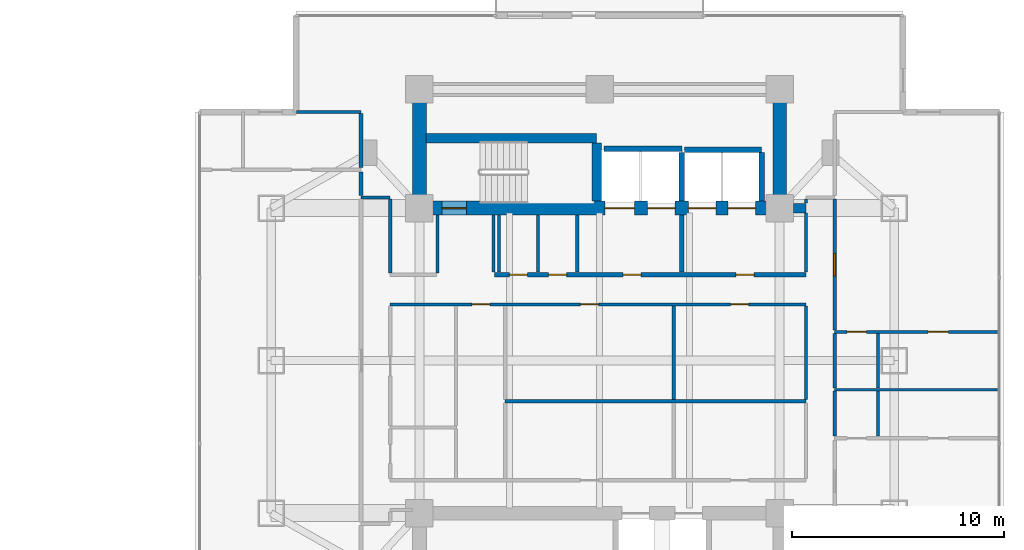
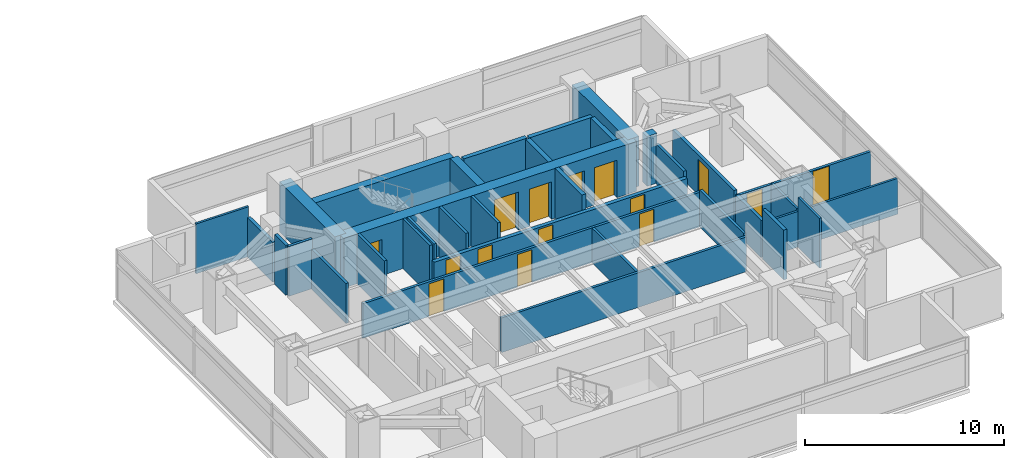
# One storey, part 18 of 24: 35 walls, 15 doors, 15 openings.
"""IFC4 building model written with IfcOpenShell, lengths in metres."""

from ifc_helpers import new_model, si_unit, direction, frame, frame_2d, origin, place, context, subcontext, project, spatial, rectangle, extrude, material, layer, layer_set, type_object, element, fill, save


model = new_model("IFC4")

# Units and contexts
model_context = context("Model", 3, precision=1e-05, world=origin(), true_north=direction((0.0, 1.0)))
body_context = subcontext(model_context, "Body", "Model", "MODEL_VIEW")
ifc_project = project(units=[si_unit("LENGTHUNIT", "METRE"), si_unit("AREAUNIT", "SQUARE_METRE"), si_unit("VOLUMEUNIT", "CUBIC_METRE"), si_unit("PLANEANGLEUNIT", "RADIAN"), si_unit("MASSUNIT", "GRAM", prefix="KILO")], contexts=[model_context])

# Site, building, storey
site_placement = place(None, origin())
site = spatial("IfcSite", under=ifc_project, at=site_placement, CompositionType="ELEMENT")
building_placement = place(site_placement, origin())
building = spatial("IfcBuilding", under=site, at=building_placement, Name="Mirazonda Arch Towers", CompositionType="ELEMENT")
storey_placement = place(building_placement, frame((0.0, 0.0, 71.89990234375)))
storey = spatial("IfcBuildingStorey", under=building, at=storey_placement, Name="L20", CompositionType="ELEMENT", Elevation=71.89990234375)

# Walls
ifc_material_1 = material(Name="Concrete C50/60", Category="concrete")
ifc_layer_1 = layer(ifc_material_1, 0.449951171875, Name="WALL-CORE-450")
ifc_layer_set_1 = layer_set([ifc_layer_1], Name="Concrete C50/60")
wall_type_1 = type_object("IfcWallType", Name="WALL-CORE-450", PredefinedType="SHEAR", material=ifc_layer_set_1)
wall_1_placement = place(storey_placement, frame((85.6650390625, 35.199951171875, 0.0), z_axis=(0.0, 0.0, 1.0), x_axis=(1.0, 0.0, 0.0)))
element("IfcWall", 1, at=wall_1_placement, inside=storey, type_object=wall_type_1, Name="L20 Stair Core Shear Wall 042", PredefinedType="SHEAR", context=body_context, shape_type="SweptSolid", body=[
    extrude(rectangle(XDim=0.5849609375, YDim=0.449951171875, at=frame_2d((0.29248046875, 0.0))), origin(), (0.0, 0.0, 1.0), 3.06005859375),
])
wall_2_placement = place(storey_placement, frame((68.320068359375, 38.5, 0.0), z_axis=(0.0, 0.0, 1.0), x_axis=(1.0, 0.0, 0.0)))
element("IfcWall", 2, at=wall_2_placement, inside=storey, type_object=wall_type_1, Name="L20 Stair Core Shear Wall 049", PredefinedType="SHEAR", context=body_context, shape_type="SweptSolid", body=[
    extrude(rectangle(XDim=8.0400390625, YDim=0.449951171875, at=frame_2d((4.02001953125, 0.0))), origin(), (0.0, 0.0, 1.0), 3.06005859375),
])
wall_3_placement = place(storey_placement, frame((76.360107421875, 35.52001953125, 0.0), z_axis=(0.0, 0.0, 1.0), x_axis=(0.0, 1.0, 0.0)))
element("IfcWall", 3, at=wall_3_placement, inside=storey, type_object=wall_type_1, Name="L20 Stair Core Shear Wall 139", PredefinedType="SHEAR", context=body_context, shape_type="SweptSolid", body=[
    extrude(rectangle(XDim=2.744873046875, YDim=0.449951171875, at=frame_2d((1.37255859375, 0.0))), origin(), (0.0, 0.0, 1.0), 3.06005859375),
])
ifc_material_2 = material(Name="Concrete C60/75", Category="concrete")
ifc_layer_2 = layer(ifc_material_2, 0.64990234375, Name="WALL-CORE-650")
ifc_layer_set_2 = layer_set([ifc_layer_2], Name="Concrete C60/75")
wall_type_2 = type_object("IfcWallType", Name="WALL-CORE-650", PredefinedType="SHEAR", material=ifc_layer_set_2)
for number, where, z_axis, x_axis, name in (
    (4, (68.0, 35.199951171875, 0.0), (0.0, 0.0, 1.0), (0.0, 1.0, 0.0), "L20 T2N-W Core Shear Wall"),
    (5, (85.0, 35.199951171875, 0.0), (0.0, 0.0, 1.0), (0.0, 1.0, 0.0), "L20 T2N-E Core Shear Wall"),
):
    element("IfcWall", number, at=place(storey_placement, frame(where, z_axis=z_axis, x_axis=x_axis)), inside=storey, type_object=wall_type_2, Name=name, PredefinedType="SHEAR", context=body_context, shape_type="SweptSolid", body=[
        extrude(rectangle(XDim=5.60009765625, YDim=0.64990234375, at=frame_2d((2.800048828125, 0.0))), origin(), (0.0, 0.0, 1.0), 3.06005859375),
    ])

# Wall, openings, doors
wall_4_placement = place(storey_placement, frame((68.0, 35.199951171875, 0.0), z_axis=(0.0, 0.0, 1.0), x_axis=(1.0, 0.0, 0.0)))
wall_4 = element("IfcWall", 6, at=wall_4_placement, inside=storey, type_object=wall_type_2, Name="L20 T2N-S Core Shear Wall", PredefinedType="SHEAR", context=body_context, shape_type="SweptSolid", body=[
    extrude(rectangle(XDim=17.0, YDim=0.64990234375, at=frame_2d((8.5, 0.0))), origin(), (0.0, 0.0, 1.0), 3.06005859375),
])
opening_1_placement = place(wall_4_placement, frame((1.06005859375, 0.0, 0.0)))
opening_1 = element("IfcOpeningElement", 7, at=opening_1_placement, cuts=wall_4, Name="Opening DR-135", PredefinedType="OPENING", context=body_context, shape_type="SweptSolid", body=[
    extrude(rectangle(XDim=1.14990234375, YDim=2.199951171875, at=frame_2d((0.574951171875, 1.10009765625))), frame((0.0, 0.3349609375, 0.0), z_axis=(0.0, -1.0, 0.0), x_axis=(1.0, 0.0, 0.0)), (0.0, 0.0, 1.0), 0.669921875),
])
opening_2_placement = place(wall_4_placement, frame((8.75, 0.0, 0.0)))
opening_2 = element("IfcOpeningElement", 8, at=opening_2_placement, cuts=wall_4, Name="Opening LD-112", PredefinedType="OPENING", context=body_context, shape_type="SweptSolid", body=[
    extrude(rectangle(XDim=1.39990234375, YDim=2.35009765625, at=frame_2d((0.699951171875, 1.175048828125))), frame((0.0, 0.3349609375, 0.0), z_axis=(0.0, -1.0, 0.0), x_axis=(1.0, 0.0, 0.0)), (0.0, 0.0, 1.0), 0.669921875),
])
opening_3_placement = place(wall_4_placement, frame((10.77001953125, 0.0, 0.0)))
opening_3 = element("IfcOpeningElement", 9, at=opening_3_placement, cuts=wall_4, Name="Opening LD-111", PredefinedType="OPENING", context=body_context, shape_type="SweptSolid", body=[
    extrude(rectangle(XDim=1.300048828125, YDim=2.300048828125, at=frame_2d((0.64990234375, 1.14990234375))), frame((0.0, 0.3349609375, 0.0), z_axis=(0.0, -1.0, 0.0), x_axis=(1.0, 0.0, 0.0)), (0.0, 0.0, 1.0), 0.669921875),
])
opening_4_placement = place(wall_4_placement, frame((12.68994140625, 0.0, 0.0)))
opening_4 = element("IfcOpeningElement", 10, at=opening_4_placement, cuts=wall_4, Name="Opening LD-111", PredefinedType="OPENING", context=body_context, shape_type="SweptSolid", body=[
    extrude(rectangle(XDim=1.300048828125, YDim=2.300048828125, at=frame_2d((0.64990234375, 1.14990234375))), frame((0.0, 0.3349609375, 0.0), z_axis=(0.0, -1.0, 0.0), x_axis=(1.0, 0.0, 0.0)), (0.0, 0.0, 1.0), 0.669921875),
])
opening_5_placement = place(wall_4_placement, frame((14.570068359375, 0.0, 0.0)))
opening_5 = element("IfcOpeningElement", 11, at=opening_5_placement, cuts=wall_4, Name="Opening LD-111", PredefinedType="OPENING", context=body_context, shape_type="SweptSolid", body=[
    extrude(rectangle(XDim=1.300048828125, YDim=2.300048828125, at=frame_2d((0.64990234375, 1.14990234375))), frame((0.0, 0.3349609375, 0.0), z_axis=(0.0, -1.0, 0.0), x_axis=(1.0, 0.0, 0.0)), (0.0, 0.0, 1.0), 0.669921875),
])
ifc_material_3 = material(Name="Architectural Brushed Steel S355", Category="steel")
door_type_1 = type_object("IfcDoorType", Name="DOOR-LIFT-FFL-1400", OperationType="NOTDEFINED", PredefinedType="DOOR", material=ifc_material_3)
door_1_placement = place(opening_2_placement, origin())
door_1 = element("IfcDoor", 12, at=door_1_placement, inside=storey, type_object=door_type_1, Name="L20 Lift Landing Sliding Door FFL-T2", OperationType="DOUBLE_DOOR_SLIDING", OverallHeight=2.35009765625, OverallWidth=1.39990234375, PredefinedType="DOOR", context=body_context, shape_type="SweptSolid", body=[
    extrude(rectangle(XDim=1.39990234375, YDim=2.35009765625, at=frame_2d((0.699951171875, 1.175048828125))), frame((0.0, 0.02490234375, 0.0), z_axis=(0.0, -1.0, 0.0), x_axis=(1.0, 0.0, 0.0)), (0.0, 0.0, 1.0), 0.050048828125),
])
fill(opening_2, door_1)
door_type_2 = type_object("IfcDoorType", Name="DOOR-LIFT-LAND-1300", OperationType="NOTDEFINED", PredefinedType="DOOR", material=ifc_material_3)
door_2_placement = place(opening_3_placement, origin())
door_2 = element("IfcDoor", 13, at=door_2_placement, inside=storey, type_object=door_type_2, Name="L20 Lift Landing Sliding Door SVL-T2", OperationType="DOUBLE_DOOR_SLIDING", OverallHeight=2.300048828125, OverallWidth=1.300048828125, PredefinedType="DOOR", context=body_context, shape_type="SweptSolid", body=[
    extrude(rectangle(XDim=1.300048828125, YDim=2.300048828125, at=frame_2d((0.64990234375, 1.14990234375))), frame((0.0, 0.02490234375, 0.0), z_axis=(0.0, -1.0, 0.0), x_axis=(1.0, 0.0, 0.0)), (0.0, 0.0, 1.0), 0.050048828125),
])
fill(opening_3, door_2)
door_3_placement = place(opening_4_placement, origin())
door_3 = element("IfcDoor", 14, at=door_3_placement, inside=storey, type_object=door_type_2, Name="L20 Lift Landing Sliding Door PL-T2L1", OperationType="DOUBLE_DOOR_SLIDING", OverallHeight=2.300048828125, OverallWidth=1.300048828125, PredefinedType="DOOR", context=body_context, shape_type="SweptSolid", body=[
    extrude(rectangle(XDim=1.300048828125, YDim=2.300048828125, at=frame_2d((0.64990234375, 1.14990234375))), frame((0.0, 0.02490234375, 0.0), z_axis=(0.0, -1.0, 0.0), x_axis=(1.0, 0.0, 0.0)), (0.0, 0.0, 1.0), 0.050048828125),
])
fill(opening_4, door_3)
door_4_placement = place(opening_5_placement, origin())
door_4 = element("IfcDoor", 15, at=door_4_placement, inside=storey, type_object=door_type_2, Name="L20 Lift Landing Sliding Door PL-T2L2", OperationType="DOUBLE_DOOR_SLIDING", OverallHeight=2.300048828125, OverallWidth=1.300048828125, PredefinedType="DOOR", context=body_context, shape_type="SweptSolid", body=[
    extrude(rectangle(XDim=1.300048828125, YDim=2.300048828125, at=frame_2d((0.64990234375, 1.14990234375))), frame((0.0, 0.02490234375, 0.0), z_axis=(0.0, -1.0, 0.0), x_axis=(1.0, 0.0, 0.0)), (0.0, 0.0, 1.0), 0.050048828125),
])
fill(opening_5, door_4)
door_type_3 = type_object("IfcDoorType", Name="DOOR-STAIR-FD90-1150", OperationType="NOTDEFINED", PredefinedType="DOOR", material=ifc_material_3)
door_5_placement = place(opening_1_placement, origin())
door_5 = element("IfcDoor", 16, at=door_5_placement, inside=storey, type_object=door_type_3, Name="L20 East Protected Stair North Door", OperationType="SINGLE_SWING_LEFT", OverallHeight=2.199951171875, OverallWidth=1.14990234375, PredefinedType="DOOR", context=body_context, shape_type="SweptSolid", body=[
    extrude(rectangle(XDim=1.14990234375, YDim=2.199951171875, at=frame_2d((0.574951171875, 1.10009765625))), frame((0.0, 0.02490234375, 0.0), z_axis=(0.0, -1.0, 0.0), x_axis=(1.0, 0.0, 0.0)), (0.0, 0.0, 1.0), 0.050048828125),
])
fill(opening_1, door_5)

ifc_material_4 = material(Name="Concrete C40/50", Category="concrete")
ifc_layer_3 = layer(ifc_material_4, 0.219970703125, Name="WALL-FFL-220")
ifc_layer_set_3 = layer_set([ifc_layer_3], Name="Concrete C40/50")
wall_type_3 = type_object("IfcWallType", Name="WALL-FFL-220", PredefinedType="SOLIDWALL", material=ifc_layer_set_3)
wall_5_placement = place(storey_placement, frame((71.550048828125, 32.050048828125, 0.0), z_axis=(0.0, 0.0, 1.0), x_axis=(1.0, 0.0, 0.0)))
wall_5 = element("IfcWall", 17, at=wall_5_placement, inside=storey, type_object=wall_type_3, Name="L20 Interior Partition 036", PredefinedType="SOLIDWALL", context=body_context, shape_type="SweptSolid", body=[
    extrude(rectangle(XDim=14.699951171875, YDim=0.219970703125, at=frame_2d((7.35009765625, 0.0))), origin(), (0.0, 0.0, 1.0), 2.125),
])
opening_6_placement = place(wall_5_placement, frame((11.389892578125, 0.0, 0.0)))
opening_6 = element("IfcOpeningElement", 18, at=opening_6_placement, cuts=wall_5, Name="Opening DR-128", PredefinedType="OPENING", context=body_context, shape_type="SweptSolid", body=[
    extrude(rectangle(XDim=0.85009765625, YDim=2.010009765625, at=frame_2d((0.425048828125, 1.0048828125))), frame((0.0, 0.119873046875, 0.0), z_axis=(0.0, -1.0, 0.0), x_axis=(1.0, 0.0, 0.0)), (0.0, 0.0, 1.0), 0.239990234375),
])
opening_7_placement = place(wall_5_placement, frame((6.06494140625, 0.0, 0.0)))
opening_7 = element("IfcOpeningElement", 19, at=opening_7_placement, cuts=wall_5, Name="Opening DR-128", PredefinedType="OPENING", context=body_context, shape_type="SweptSolid", body=[
    extrude(rectangle(XDim=0.85009765625, YDim=2.010009765625, at=frame_2d((0.425048828125, 1.0048828125))), frame((0.0, 0.119873046875, 0.0), z_axis=(0.0, -1.0, 0.0), x_axis=(1.0, 0.0, 0.0)), (0.0, 0.0, 1.0), 0.239990234375),
])
opening_8_placement = place(wall_5_placement, frame((0.699951171875, 0.0, 0.0)))
opening_8 = element("IfcOpeningElement", 20, at=opening_8_placement, cuts=wall_5, Name="Opening DR-128", PredefinedType="OPENING", context=body_context, shape_type="SweptSolid", body=[
    extrude(rectangle(XDim=0.85009765625, YDim=2.010009765625, at=frame_2d((0.425048828125, 1.0048828125))), frame((0.0, 0.119873046875, 0.0), z_axis=(0.0, -1.0, 0.0), x_axis=(1.0, 0.0, 0.0)), (0.0, 0.0, 1.0), 0.239990234375),
])
opening_9_placement = place(wall_5_placement, frame((2.550048828125, 0.0, 0.0)))
opening_9 = element("IfcOpeningElement", 21, at=opening_9_placement, cuts=wall_5, Name="Opening DR-128", PredefinedType="OPENING", context=body_context, shape_type="SweptSolid", body=[
    extrude(rectangle(XDim=0.85009765625, YDim=2.010009765625, at=frame_2d((0.425048828125, 1.0048828125))), frame((0.0, 0.119873046875, 0.0), z_axis=(0.0, -1.0, 0.0), x_axis=(1.0, 0.0, 0.0)), (0.0, 0.0, 1.0), 0.239990234375),
])
door_type_4 = type_object("IfcDoorType", Name="DOOR-RISER-FD60-850", OperationType="NOTDEFINED", PredefinedType="DOOR", material=ifc_material_3)
door_6_placement = place(opening_6_placement, origin())
door_6 = element("IfcDoor", 22, at=door_6_placement, inside=storey, type_object=door_type_4, Name="L20 East Passenger Lift Lobby Door", OperationType="SINGLE_SWING_RIGHT", OverallHeight=2.010009765625, OverallWidth=0.85009765625, PredefinedType="DOOR", context=body_context, shape_type="SweptSolid", body=[
    extrude(rectangle(XDim=0.85009765625, YDim=2.010009765625, at=frame_2d((0.425048828125, 1.0048828125))), frame((0.0, 0.02490234375, 0.0), z_axis=(0.0, -1.0, 0.0), x_axis=(1.0, 0.0, 0.0)), (0.0, 0.0, 1.0), 0.050048828125),
])
fill(opening_6, door_6)
door_7_placement = place(opening_7_placement, origin())
door_7 = element("IfcDoor", 23, at=door_7_placement, inside=storey, type_object=door_type_4, Name="L20 East Firefighting Lift Lobby Door", OperationType="SINGLE_SWING_RIGHT", OverallHeight=2.010009765625, OverallWidth=0.85009765625, PredefinedType="DOOR", context=body_context, shape_type="SweptSolid", body=[
    extrude(rectangle(XDim=0.85009765625, YDim=2.010009765625, at=frame_2d((0.425048828125, 1.0048828125))), frame((0.0, 0.02490234375, 0.0), z_axis=(0.0, -1.0, 0.0), x_axis=(1.0, 0.0, 0.0)), (0.0, 0.0, 1.0), 0.050048828125),
])
fill(opening_7, door_7)
door_8_placement = place(opening_8_placement, origin())
door_8 = element("IfcDoor", 24, at=door_8_placement, inside=storey, type_object=door_type_4, Name="L20 Tower 2 Electrical Room Door", OperationType="SINGLE_SWING_LEFT", OverallHeight=2.010009765625, OverallWidth=0.85009765625, PredefinedType="DOOR", context=body_context, shape_type="SweptSolid", body=[
    extrude(rectangle(XDim=0.85009765625, YDim=2.010009765625, at=frame_2d((0.425048828125, 1.0048828125))), frame((0.0, 0.02490234375, 0.0), z_axis=(0.0, -1.0, 0.0), x_axis=(1.0, 0.0, 0.0)), (0.0, 0.0, 1.0), 0.050048828125),
])
fill(opening_8, door_8)
door_9_placement = place(opening_9_placement, origin())
door_9 = element("IfcDoor", 25, at=door_9_placement, inside=storey, type_object=door_type_4, Name="L20 Tower 2 Cleaners Store Door", OperationType="SINGLE_SWING_RIGHT", OverallHeight=2.010009765625, OverallWidth=0.85009765625, PredefinedType="DOOR", context=body_context, shape_type="SweptSolid", body=[
    extrude(rectangle(XDim=0.85009765625, YDim=2.010009765625, at=frame_2d((0.425048828125, 1.0048828125))), frame((0.0, 0.02490234375, 0.0), z_axis=(0.0, -1.0, 0.0), x_axis=(1.0, 0.0, 0.0)), (0.0, 0.0, 1.0), 0.050048828125),
])
fill(opening_9, door_9)

# Walls
wall_6_placement = place(storey_placement, frame((80.3798828125, 32.169921875, 0.0), z_axis=(0.0, 0.0, 1.0), x_axis=(0.0, 1.0, 0.0)))
element("IfcWall", 26, at=wall_6_placement, inside=storey, type_object=wall_type_3, Name="L20 Interior Partition 143", PredefinedType="SOLIDWALL", context=body_context, shape_type="SweptSolid", body=[
    extrude(rectangle(XDim=2.7099609375, YDim=0.219970703125, at=frame_2d((1.35498046875, 0.0))), origin(), (0.0, 0.0, 1.0), 3.06005859375),
])
ifc_material_5 = material(Name="Fire-Rated Gypsum Stud Partition")
ifc_layer_4 = layer(ifc_material_5, 0.14990234375, Name="WALL-PART-CORR-150")
ifc_layer_set_4 = layer_set([ifc_layer_4], Name="Fire-Rated Gypsum Stud Partition")
wall_type_4 = type_object("IfcWallType", Name="WALL-PART-CORR-150", PredefinedType="PARTITIONING", material=ifc_layer_set_4)
wall_7_placement = place(storey_placement, frame((72.050048828125, 26.0849609375, 0.0), z_axis=(0.0, 0.0, 1.0), x_axis=(1.0, 0.0, 0.0)))
element("IfcWall", 27, at=wall_7_placement, inside=storey, type_object=wall_type_4, Name="L20 Interior Partition 028", PredefinedType="PARTITIONING", context=body_context, shape_type="SweptSolid", body=[
    extrude(rectangle(XDim=14.199951171875, YDim=0.14990234375, at=frame_2d((7.10009765625, 0.0))), origin(), (0.0, 0.0, 1.0), 2.125),
])

# Wall, openings, doors
wall_8_placement = place(storey_placement, frame((87.60009765625, 29.35205078125, 0.0), z_axis=(0.0, 0.0, 1.0), x_axis=(1.0, 0.0, 0.0)))
wall_8 = element("IfcWall", 28, at=wall_8_placement, inside=storey, type_object=wall_type_4, Name="L20 Interior Partition 032", PredefinedType="PARTITIONING", context=body_context, shape_type="SweptSolid", body=[
    extrude(rectangle(XDim=7.767822265625, YDim=0.14990234375, at=frame_2d((3.8837890625, 0.0))), origin(), (0.0, 0.0, 1.0), 2.196044921875),
])
opening_10_placement = place(wall_8_placement, frame((4.408935546875, 0.0, 0.0)))
opening_10 = element("IfcOpeningElement", 29, at=opening_10_placement, cuts=wall_8, Name="Opening DR-104", PredefinedType="OPENING", context=body_context, shape_type="SweptSolid", body=[
    extrude(rectangle(XDim=0.949951171875, YDim=2.14990234375, at=frame_2d((0.47509765625, 1.074951171875))), frame((0.0, 0.0849609375, 0.0), z_axis=(0.0, -1.0, 0.0), x_axis=(1.0, 0.0, 0.0)), (0.0, 0.0, 1.0), 0.169921875),
])
opening_11_placement = place(wall_8_placement, frame((0.590087890625, 0.0, 0.0)))
opening_11 = element("IfcOpeningElement", 30, at=opening_11_placement, cuts=wall_8, Name="Opening DR-120", PredefinedType="OPENING", context=body_context, shape_type="SweptSolid", body=[
    extrude(rectangle(XDim=0.89990234375, YDim=2.10009765625, at=frame_2d((0.449951171875, 1.050048828125))), frame((0.0, 0.0849609375, 0.0), z_axis=(0.0, -1.0, 0.0), x_axis=(1.0, 0.0, 0.0)), (0.0, 0.0, 1.0), 0.169921875),
])
door_type_5 = type_object("IfcDoorType", Name="DOOR-ROOM-950", OperationType="NOTDEFINED", PredefinedType="DOOR", material=ifc_material_3)
door_10_placement = place(opening_10_placement, origin())
door_10 = element("IfcDoor", 31, at=door_10_placement, inside=storey, type_object=door_type_5, Name="L20 Suite Bedroom 2 Door", OperationType="SINGLE_SWING_RIGHT", OverallHeight=2.14990234375, OverallWidth=0.949951171875, PredefinedType="DOOR", context=body_context, shape_type="SweptSolid", body=[
    extrude(rectangle(XDim=0.949951171875, YDim=2.14990234375, at=frame_2d((0.47509765625, 1.074951171875))), frame((0.0, 0.02490234375, 0.0), z_axis=(0.0, -1.0, 0.0), x_axis=(1.0, 0.0, 0.0)), (0.0, 0.0, 1.0), 0.050048828125),
])
fill(opening_10, door_10)
door_type_6 = type_object("IfcDoorType", Name="DOOR-WC-900", OperationType="NOTDEFINED", PredefinedType="DOOR", material=ifc_material_3)
door_11_placement = place(opening_11_placement, origin())
door_11 = element("IfcDoor", 32, at=door_11_placement, inside=storey, type_object=door_type_6, Name="L20 Suite En-Suite Bathroom 2 Door", OperationType="SINGLE_SWING_LEFT", OverallHeight=2.10009765625, OverallWidth=0.89990234375, PredefinedType="DOOR", context=body_context, shape_type="SweptSolid", body=[
    extrude(rectangle(XDim=0.89990234375, YDim=2.10009765625, at=frame_2d((0.449951171875, 1.050048828125))), frame((0.0, 0.02490234375, 0.0), z_axis=(0.0, -1.0, 0.0), x_axis=(1.0, 0.0, 0.0)), (0.0, 0.0, 1.0), 0.050048828125),
])
fill(opening_11, door_11)

wall_9_placement = place(storey_placement, frame((66.6201171875, 30.64990234375, 0.0), z_axis=(0.0, 0.0, 1.0), x_axis=(1.0, 0.0, 0.0)))
wall_9 = element("IfcWall", 33, at=wall_9_placement, inside=storey, type_object=wall_type_4, Name="L20 Interior Partition 034", PredefinedType="PARTITIONING", context=body_context, shape_type="SweptSolid", body=[
    extrude(rectangle(XDim=19.6298828125, YDim=0.14990234375, at=frame_2d((9.81494140625, 0.0))), origin(), (0.0, 0.0, 1.0), 2.125),
])
opening_12_placement = place(wall_9_placement, frame((3.85498046875, 0.0, 0.0)))
opening_12 = element("IfcOpeningElement", 34, at=opening_12_placement, cuts=wall_9, Name="Opening DR-128", PredefinedType="OPENING", context=body_context, shape_type="SweptSolid", body=[
    extrude(rectangle(XDim=0.85009765625, YDim=2.010009765625, at=frame_2d((0.425048828125, 1.0048828125))), frame((0.0, 0.0849609375, 0.0), z_axis=(0.0, -1.0, 0.0), x_axis=(1.0, 0.0, 0.0)), (0.0, 0.0, 1.0), 0.169921875),
])
opening_13_placement = place(wall_9_placement, frame((8.98095703125, 0.0, 0.0)))
opening_13 = element("IfcOpeningElement", 35, at=opening_13_placement, cuts=wall_9, Name="Opening DR-128", PredefinedType="OPENING", context=body_context, shape_type="SweptSolid", body=[
    extrude(rectangle(XDim=0.85009765625, YDim=2.010009765625, at=frame_2d((0.425048828125, 1.0048828125))), frame((0.0, 0.0849609375, 0.0), z_axis=(0.0, -1.0, 0.0), x_axis=(1.0, 0.0, 0.0)), (0.0, 0.0, 1.0), 0.169921875),
])
opening_14_placement = place(wall_9_placement, frame((16.06103515625, 0.0, 0.0)))
opening_14 = element("IfcOpeningElement", 36, at=opening_14_placement, cuts=wall_9, Name="Opening DR-128", PredefinedType="OPENING", context=body_context, shape_type="SweptSolid", body=[
    extrude(rectangle(XDim=0.85009765625, YDim=2.010009765625, at=frame_2d((0.425048828125, 1.0048828125))), frame((0.0, 0.0849609375, 0.0), z_axis=(0.0, -1.0, 0.0), x_axis=(1.0, 0.0, 0.0)), (0.0, 0.0, 1.0), 0.169921875),
])
door_12_placement = place(opening_12_placement, origin())
door_12 = element("IfcDoor", 37, at=door_12_placement, inside=storey, type_object=door_type_4, Name="L20 L20 East Courtyard Study Door", OperationType="SINGLE_SWING_LEFT", OverallHeight=2.010009765625, OverallWidth=0.85009765625, PredefinedType="DOOR", context=body_context, shape_type="SweptSolid", body=[
    extrude(rectangle(XDim=0.85009765625, YDim=2.010009765625, at=frame_2d((0.425048828125, 1.0048828125))), frame((0.0, 0.02490234375, 0.0), z_axis=(0.0, -1.0, 0.0), x_axis=(1.0, 0.0, 0.0)), (0.0, 0.0, 1.0), 0.050048828125),
])
fill(opening_12, door_12)
door_13_placement = place(opening_13_placement, origin())
door_13 = element("IfcDoor", 38, at=door_13_placement, inside=storey, type_object=door_type_4, Name="L20 Concierge Salon Door", OperationType="SINGLE_SWING_RIGHT", OverallHeight=2.010009765625, OverallWidth=0.85009765625, PredefinedType="DOOR", context=body_context, shape_type="SweptSolid", body=[
    extrude(rectangle(XDim=0.85009765625, YDim=2.010009765625, at=frame_2d((0.425048828125, 1.0048828125))), frame((0.0, 0.02490234375, 0.0), z_axis=(0.0, -1.0, 0.0), x_axis=(1.0, 0.0, 0.0)), (0.0, 0.0, 1.0), 0.050048828125),
])
fill(opening_13, door_13)
door_14_placement = place(opening_14_placement, origin())
door_14 = element("IfcDoor", 39, at=door_14_placement, inside=storey, type_object=door_type_4, Name="L20 Private Meeting Suite Door", OperationType="SINGLE_SWING_LEFT", OverallHeight=2.010009765625, OverallWidth=0.85009765625, PredefinedType="DOOR", context=body_context, shape_type="SweptSolid", body=[
    extrude(rectangle(XDim=0.85009765625, YDim=2.010009765625, at=frame_2d((0.425048828125, 1.0048828125))), frame((0.0, 0.02490234375, 0.0), z_axis=(0.0, -1.0, 0.0), x_axis=(1.0, 0.0, 0.0)), (0.0, 0.0, 1.0), 0.050048828125),
])
fill(opening_14, door_14)

# Walls
wall_10_placement = place(storey_placement, frame((65.25, 35.699951171875, 0.0), z_axis=(0.0, 0.0, 1.0), x_axis=(1.0, 0.0, 0.0)))
element("IfcWall", 40, at=wall_10_placement, inside=storey, type_object=wall_type_4, Name="L20 Interior Partition 043", PredefinedType="PARTITIONING", context=body_context, shape_type="SweptSolid", body=[
    extrude(rectangle(XDim=1.3701171875, YDim=0.14990234375, at=frame_2d((0.68505859375, 0.0))), origin(), (0.0, 0.0, 1.0), 3.06005859375),
])
wall_11_placement = place(storey_placement, frame((66.6201171875, 32.135009765625, 0.0), z_axis=(0.0, 0.0, 1.0), x_axis=(0.0, 1.0, 0.0)))
element("IfcWall", 41, at=wall_11_placement, inside=storey, type_object=wall_type_4, Name="L20 Interior Partition 128", PredefinedType="PARTITIONING", context=body_context, shape_type="SweptSolid", body=[
    extrude(rectangle(XDim=3.47998046875, YDim=0.14990234375, at=frame_2d((1.739990234375, 0.0))), origin(), (0.0, 0.0, 1.0), 2.4521484375),
])
wall_12_placement = place(storey_placement, frame((68.85009765625, 32.135009765625, 0.0), z_axis=(0.0, 0.0, 1.0), x_axis=(0.0, 1.0, 0.0)))
element("IfcWall", 42, at=wall_12_placement, inside=storey, type_object=wall_type_4, Name="L20 Interior Partition 129", PredefinedType="PARTITIONING", context=body_context, shape_type="SweptSolid", body=[
    extrude(rectangle(XDim=2.744873046875, YDim=0.14990234375, at=frame_2d((1.37255859375, 0.0))), origin(), (0.0, 0.0, 1.0), 3.06005859375),
])
for number, where, z_axis, x_axis, name in (
    (43, (71.5, 32.169921875, 0.0), (0.0, 0.0, 1.0), (0.0, 1.0, 0.0), "L20 Interior Partition 132"),
    (44, (71.75, 32.169921875, 0.0), (0.0, 0.0, 1.0), (0.0, 1.0, 0.0), "L20 Interior Partition 133"),
    (45, (73.60009765625, 32.169921875, 0.0), (0.0, 0.0, 1.0), (0.0, 1.0, 0.0), "L20 Interior Partition 136"),
    (46, (75.449951171875, 32.169921875, 0.0), (0.0, 0.0, 1.0), (0.0, 1.0, 0.0), "L20 Interior Partition 137"),
):
    element("IfcWall", number, at=place(storey_placement, frame(where, z_axis=z_axis, x_axis=x_axis)), inside=storey, type_object=wall_type_4, Name=name, PredefinedType="PARTITIONING", context=body_context, shape_type="SweptSolid", body=[
        extrude(rectangle(XDim=2.7099609375, YDim=0.14990234375, at=frame_2d((1.35498046875, 0.0))), origin(), (0.0, 0.0, 1.0), 3.06005859375),
    ])
wall_13_placement = place(storey_placement, frame((80.001953125, 26.169921875, 0.0), z_axis=(0.0, 0.0, 1.0), x_axis=(0.0, 1.0, 0.0)))
element("IfcWall", 47, at=wall_13_placement, inside=storey, type_object=wall_type_4, Name="L20 Interior Partition 142", PredefinedType="PARTITIONING", context=body_context, shape_type="SweptSolid", body=[
    extrude(rectangle(XDim=4.39501953125, YDim=0.14990234375, at=frame_2d((2.197509765625, 0.0))), origin(), (0.0, 0.0, 1.0), 2.125),
])
wall_14_placement = place(storey_placement, frame((86.25, 26.169921875, 0.0), z_axis=(0.0, 0.0, 1.0), x_axis=(0.0, 1.0, 0.0)))
element("IfcWall", 48, at=wall_14_placement, inside=storey, type_object=wall_type_4, Name="L20 Interior Partition 149", PredefinedType="PARTITIONING", context=body_context, shape_type="SweptSolid", body=[
    extrude(rectangle(XDim=4.39501953125, YDim=0.14990234375, at=frame_2d((2.197509765625, 0.0))), origin(), (0.0, 0.0, 1.0), 2.279052734375),
])
wall_15_placement = place(storey_placement, frame((86.25, 32.169921875, 0.0), z_axis=(0.0, 0.0, 1.0), x_axis=(0.0, 1.0, 0.0)))
element("IfcWall", 49, at=wall_15_placement, inside=storey, type_object=wall_type_4, Name="L20 Interior Partition 150", PredefinedType="PARTITIONING", context=body_context, shape_type="SweptSolid", body=[
    extrude(rectangle(XDim=2.795166015625, YDim=0.14990234375, at=frame_2d((1.3974609375, 0.0))), origin(), (0.0, 0.0, 1.0), 2.4521484375),
])
wall_16_placement = place(storey_placement, frame((86.25, 35.43505859375, 0.0), z_axis=(0.0, 0.0, 1.0), x_axis=(0.0, 1.0, 0.0)))
element("IfcWall", 50, at=wall_16_placement, inside=storey, type_object=wall_type_4, Name="L20 Interior Partition 151", PredefinedType="PARTITIONING", context=body_context, shape_type="SweptSolid", body=[
    extrude(rectangle(XDim=0.179931640625, YDim=0.14990234375, at=frame_2d((0.08984375, 0.0))), origin(), (0.0, 0.0, 1.0), 2.4521484375),
])
ifc_material_6 = material(Name="Fire-Rated Gypsum Twin-Stud Assembly")
ifc_layer_5 = layer(ifc_material_6, 0.179931640625, Name="WALL-PART-DEMISE-180")
ifc_layer_set_5 = layer_set([ifc_layer_5], Name="Fire-Rated Gypsum Twin-Stud Assembly")
wall_type_5 = type_object("IfcWallType", Name="WALL-PART-DEMISE-180", PredefinedType="PARTITIONING", material=ifc_layer_set_5)
wall_17_placement = place(storey_placement, frame((65.25, 35.784912109375, 0.0), z_axis=(0.0, 0.0, 1.0), x_axis=(0.0, 1.0, 0.0)))
element("IfcWall", 51, at=wall_17_placement, inside=storey, type_object=wall_type_5, Name="L20 Interior Partition 123", PredefinedType="PARTITIONING", context=body_context, shape_type="SweptSolid", body=[
    extrude(rectangle(XDim=1.125, YDim=0.179931640625, at=frame_2d((0.5625, 0.0))), origin(), (0.0, 0.0, 1.0), 3.06005859375),
])
wall_18_placement = place(storey_placement, frame((65.25, 37.110107421875, 0.0), z_axis=(0.0, 0.0, 1.0), x_axis=(0.0, 1.0, 0.0)))
element("IfcWall", 52, at=wall_18_placement, inside=storey, type_object=wall_type_5, Name="L20 Interior Partition 124", PredefinedType="PARTITIONING", context=body_context, shape_type="SweptSolid", body=[
    extrude(rectangle(XDim=2.54736328125, YDim=0.179931640625, at=frame_2d((1.273681640625, 0.0))), origin(), (0.0, 0.0, 1.0), 2.43603515625),
])
wall_19_placement = place(storey_placement, frame((87.60009765625, 24.431884765625, 0.0), z_axis=(0.0, 0.0, 1.0), x_axis=(0.0, 1.0, 0.0)))
element("IfcWall", 53, at=wall_19_placement, inside=storey, type_object=wall_type_5, Name="L20 Interior Partition 154", PredefinedType="PARTITIONING", context=body_context, shape_type="SweptSolid", body=[
    extrude(rectangle(XDim=2.127685546875, YDim=0.179931640625, at=frame_2d((1.06396484375, 0.0))), origin(), (0.0, 0.0, 1.0), 3.06005859375),
])
wall_20_placement = place(storey_placement, frame((87.60009765625, 26.70458984375, 0.0), z_axis=(0.0, 0.0, 1.0), x_axis=(0.0, 1.0, 0.0)))
element("IfcWall", 54, at=wall_20_placement, inside=storey, type_object=wall_type_5, Name="L20 Interior Partition 155", PredefinedType="PARTITIONING", context=body_context, shape_type="SweptSolid", body=[
    extrude(rectangle(XDim=2.5625, YDim=0.179931640625, at=frame_2d((1.28125, 0.0))), origin(), (0.0, 0.0, 1.0), 2.279052734375),
])

# Wall, opening, door
wall_21_placement = place(storey_placement, frame((87.60009765625, 29.43701171875, 0.0), z_axis=(0.0, 0.0, 1.0), x_axis=(0.0, 1.0, 0.0)))
wall_21 = element("IfcWall", 55, at=wall_21_placement, inside=storey, type_object=wall_type_5, Name="L20 Interior Partition 156", PredefinedType="PARTITIONING", context=body_context, shape_type="SweptSolid", body=[
    extrude(rectangle(XDim=6.177978515625, YDim=0.179931640625, at=frame_2d((3.0888671875, 0.0))), origin(), (0.0, 0.0, 1.0), 2.4521484375),
])
opening_15_placement = place(wall_21_placement, frame((2.56396484375, 0.0, 0.0)))
opening_15 = element("IfcOpeningElement", 56, at=opening_15_placement, cuts=wall_21, Name="Opening DR-121", PredefinedType="OPENING", context=body_context, shape_type="SweptSolid", body=[
    extrude(rectangle(XDim=1.050048828125, YDim=2.199951171875, at=frame_2d((0.52490234375, 1.10009765625))), frame((0.0, 0.099853515625, 0.0), z_axis=(0.0, -1.0, 0.0), x_axis=(1.0, 0.0, 0.0)), (0.0, 0.0, 1.0), 0.199951171875),
])
door_type_7 = type_object("IfcDoorType", Name="DOOR-SUITE-FD60-1050", OperationType="NOTDEFINED", PredefinedType="DOOR", material=ifc_material_3)
door_15_placement = place(opening_15_placement, origin())
door_15 = element("IfcDoor", 57, at=door_15_placement, inside=storey, type_object=door_type_7, Name="L20 Presidential Hotel Suite 2 Door", OperationType="SINGLE_SWING_LEFT", OverallHeight=2.199951171875, OverallWidth=1.050048828125, PredefinedType="DOOR", context=body_context, shape_type="SweptSolid", body=[
    extrude(rectangle(XDim=1.050048828125, YDim=2.199951171875, at=frame_2d((0.52490234375, 1.10009765625))), frame((0.0, 0.02490234375, 0.0), z_axis=(0.0, -1.0, 0.0), x_axis=(1.0, 0.0, 0.0)), (0.0, 0.0, 1.0), 0.050048828125),
])
fill(opening_15, door_15)

# Walls
ifc_material_7 = material(Name="Acoustic Fire-Rated Gypsum Partition")
ifc_layer_6 = layer(ifc_material_7, 0.125, Name="WALL-PART-UNIT-125")
ifc_layer_set_6 = layer_set([ifc_layer_6], Name="Acoustic Fire-Rated Gypsum Partition")
wall_type_6 = type_object("IfcWallType", Name="WALL-PART-UNIT-125", PredefinedType="PARTITIONING", material=ifc_layer_set_6)
wall_22_placement = place(storey_placement, frame((87.60009765625, 26.632080078125, 0.0), z_axis=(0.0, 0.0, 1.0), x_axis=(1.0, 0.0, 0.0)))
element("IfcWall", 58, at=wall_22_placement, inside=storey, type_object=wall_type_6, Name="L20 Interior Partition 029", PredefinedType="PARTITIONING", context=body_context, shape_type="SweptSolid", body=[
    extrude(rectangle(XDim=7.767822265625, YDim=0.125, at=frame_2d((3.8837890625, 0.0))), origin(), (0.0, 0.0, 1.0), 2.196044921875),
])
wall_23_placement = place(storey_placement, frame((62.197998046875, 39.72998046875, 0.0), z_axis=(0.0, 0.0, 1.0), x_axis=(1.0, 0.0, 0.0)))
element("IfcWall", 59, at=wall_23_placement, inside=storey, type_object=wall_type_6, Name="L20 Interior Partition 050", PredefinedType="PARTITIONING", context=body_context, shape_type="SweptSolid", body=[
    extrude(rectangle(XDim=3.052001953125, YDim=0.125, at=frame_2d((1.52587890625, 0.0))), origin(), (0.0, 0.0, 1.0), 3.06005859375),
])
wall_24_placement = place(storey_placement, frame((89.639892578125, 24.431884765625, 0.0), z_axis=(0.0, 0.0, 1.0), x_axis=(0.0, 1.0, 0.0)))
element("IfcWall", 60, at=wall_24_placement, inside=storey, type_object=wall_type_6, Name="L20 Interior Partition 158", PredefinedType="PARTITIONING", context=body_context, shape_type="SweptSolid", body=[
    extrude(rectangle(XDim=2.127685546875, YDim=0.125, at=frame_2d((1.06396484375, 0.0))), origin(), (0.0, 0.0, 1.0), 3.06005859375),
])
wall_25_placement = place(storey_placement, frame((89.639892578125, 26.70458984375, 0.0), z_axis=(0.0, 0.0, 1.0), x_axis=(0.0, 1.0, 0.0)))
element("IfcWall", 61, at=wall_25_placement, inside=storey, type_object=wall_type_6, Name="L20 Interior Partition 159", PredefinedType="PARTITIONING", context=body_context, shape_type="SweptSolid", body=[
    extrude(rectangle(XDim=2.5625, YDim=0.125, at=frame_2d((1.28125, 0.0))), origin(), (0.0, 0.0, 1.0), 2.279052734375),
])
ifc_layer_7 = layer(ifc_material_4, 0.25, Name="WALL-SHAFT-250")
ifc_layer_set_7 = layer_set([ifc_layer_7], Name="Concrete C40/50")
wall_type_7 = type_object("IfcWallType", Name="WALL-SHAFT-250", PredefinedType="SOLIDWALL", material=ifc_layer_set_7)
wall_26_placement = place(storey_placement, frame((80.5, 37.949951171875, 0.0), z_axis=(0.0, 0.0, 1.0), x_axis=(1.0, 0.0, 0.0)))
element("IfcWall", 62, at=wall_26_placement, inside=storey, type_object=wall_type_7, Name="L20 Interior Partition 047", PredefinedType="SOLIDWALL", context=body_context, shape_type="SweptSolid", body=[
    extrude(rectangle(XDim=3.64990234375, YDim=0.25, at=frame_2d((1.824951171875, 0.0))), origin(), (0.0, 0.0, 1.0), 3.06005859375),
])
wall_27_placement = place(storey_placement, frame((76.719970703125, 38.0, 0.0), z_axis=(0.0, 0.0, 1.0), x_axis=(1.0, 0.0, 0.0)))
element("IfcWall", 63, at=wall_27_placement, inside=storey, type_object=wall_type_7, Name="L20 Interior Partition 048", PredefinedType="SOLIDWALL", context=body_context, shape_type="SweptSolid", body=[
    extrude(rectangle(XDim=3.659912109375, YDim=0.25, at=frame_2d((1.830078125, 0.0))), origin(), (0.0, 0.0, 1.0), 3.06005859375),
])
for number, where, z_axis, x_axis, name in (
    (64, (80.3798828125, 35.52001953125, 0.0), (0.0, 0.0, 1.0), (0.0, 1.0, 0.0), "L20 Interior Partition 144"),
    (65, (84.14990234375, 35.52001953125, 0.0), (0.0, 0.0, 1.0), (0.0, 1.0, 0.0), "L20 Interior Partition 146"),
):
    element("IfcWall", number, at=place(storey_placement, frame(where, z_axis=z_axis, x_axis=x_axis)), inside=storey, type_object=wall_type_7, Name=name, PredefinedType="SOLIDWALL", context=body_context, shape_type="SweptSolid", body=[
        extrude(rectangle(XDim=2.294921875, YDim=0.25, at=frame_2d((1.1474609375, 0.0))), origin(), (0.0, 0.0, 1.0), 3.06005859375),
    ])

save(model, "model.ifc")
